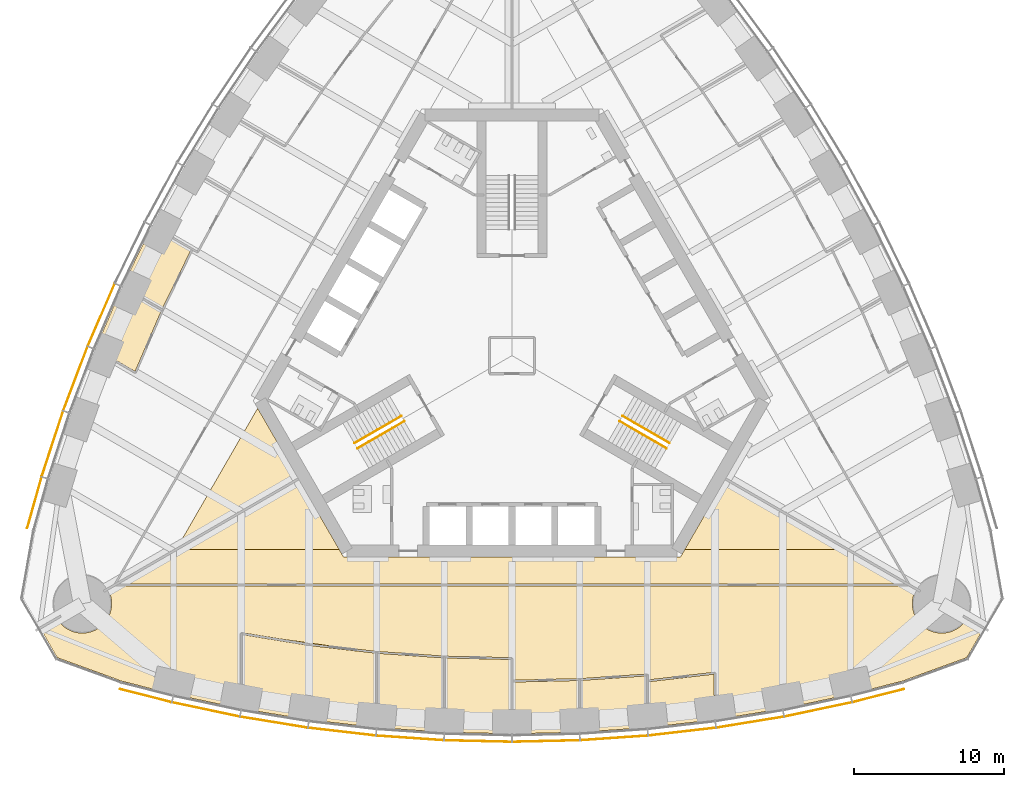
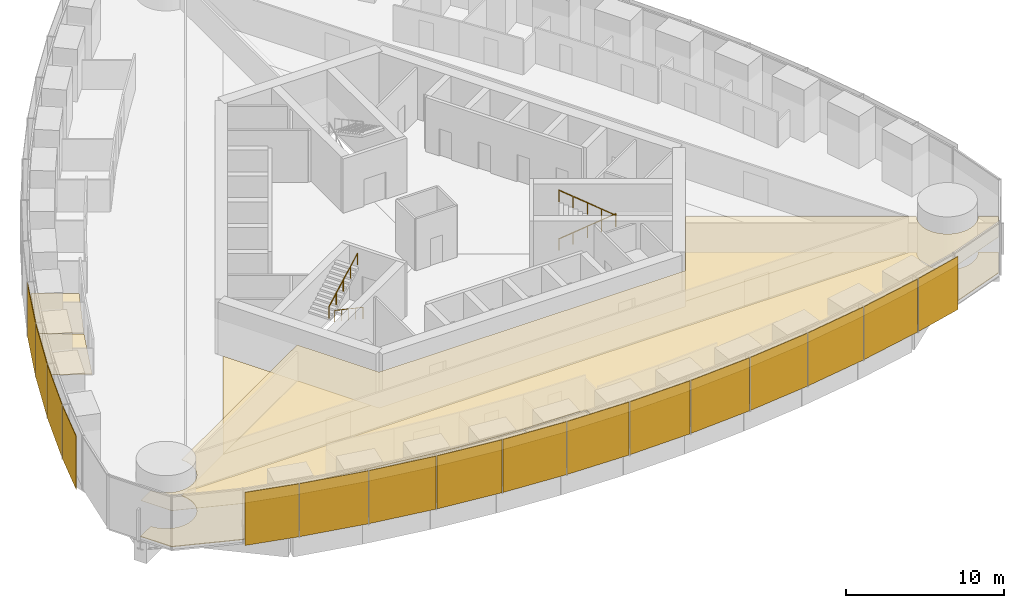
# One storey, part 15 of 19: 16 shading devices, 14 coverings, 4 railings.
"""IFC4 building model written with IfcOpenShell, lengths in metres."""

from ifc_helpers import new_model, si_unit, direction, frame, origin, origin_2d, place, context, subcontext, project, spatial, polyline, rectangle, circle, outline, extrude, material, layer, layer_set, type_object, element, save


model = new_model("IFC4")

# Units and contexts
model_context = context("Model", 3, precision=1e-05, world=origin(), true_north=direction((0.0, 1.0)))
body_context = subcontext(model_context, "Body", "Model", "MODEL_VIEW")
ifc_project = project(units=[si_unit("LENGTHUNIT", "METRE"), si_unit("AREAUNIT", "SQUARE_METRE"), si_unit("VOLUMEUNIT", "CUBIC_METRE"), si_unit("PLANEANGLEUNIT", "RADIAN"), si_unit("MASSUNIT", "GRAM", prefix="KILO")], contexts=[model_context])

# Site, building, storey
site_placement = place(None, origin())
site = spatial("IfcSite", under=ifc_project, at=site_placement, CompositionType="ELEMENT")
building_placement = place(site_placement, origin())
building = spatial("IfcBuilding", under=site, at=building_placement, Name="Trefoil Bronze Tower", CompositionType="ELEMENT")
storey_placement = place(building_placement, frame((0.0, 0.0, 189.699951171875)))
storey = spatial("IfcBuildingStorey", under=building, at=storey_placement, Name="L43", CompositionType="ELEMENT", Elevation=189.699951171875)

# Shading devices
ifc_material_1 = material(Name="Perforated bronze sheet", Category="bronze")
ifc_layer_1 = layer(ifc_material_1, 0.0400390625)
ifc_layer_set_1 = layer_set([ifc_layer_1], Name="Bronze solar screen panel")
shading_device_type = type_object("IfcShadingDeviceType", Name="Bronze solar screen panel", PredefinedType="SHUTTER", material=ifc_layer_set_1)
shading_device_1_placement = place(storey_placement, frame((-24.360107421875, -22.614501953125, 0.050048828125), z_axis=(0.0, 0.0, 1.0), x_axis=(0.968934035393, -0.247319297786, 0.0)))
element("IfcShadingDevice", 1, at=shading_device_1_placement, inside=storey, type_object=shading_device_type, Name="Solar screen CW-A L43 F1 bay 1", PredefinedType="SHUTTER", context=body_context, shape_type="SweptSolid", body=[
    extrude(rectangle(XDim=3.53369140625, YDim=0.0400390625, at=origin_2d()), origin(), (0.0, 0.0, 1.0), 4.10009765625),
])
shading_device_2_placement = place(storey_placement, frame((-20.361572265625, -23.535888671875, 0.050048828125), z_axis=(0.0, 0.0, 1.0), x_axis=(0.978394335897, -0.20674748725, 0.0)))
element("IfcShadingDevice", 2, at=shading_device_2_placement, inside=storey, type_object=shading_device_type, Name="Solar screen CW-A L43 F1 bay 2", PredefinedType="SHUTTER", context=body_context, shape_type="SweptSolid", body=[
    extrude(rectangle(XDim=4.5693359375, YDim=0.0400390625, at=origin_2d()), origin(), (0.0, 0.0, 1.0), 4.10009765625),
])
shading_device_3_placement = place(storey_placement, frame((-15.8369140625, -24.382568359375, 0.050048828125), z_axis=(0.0, 0.0, 1.0), x_axis=(0.986986549528, -0.160802832848, 0.0)))
element("IfcShadingDevice", 3, at=shading_device_3_placement, inside=storey, type_object=shading_device_type, Name="Solar screen CW-A L43 F1 bay 3", PredefinedType="SHUTTER", context=body_context, shape_type="SweptSolid", body=[
    extrude(rectangle(XDim=4.529296875, YDim=0.0400390625, at=origin_2d()), origin(), (0.0, 0.0, 1.0), 4.10009765625),
])
shading_device_4_placement = place(storey_placement, frame((-11.31201171875, -25.0126953125, 0.050048828125), z_axis=(0.0, 0.0, 1.0), x_axis=(0.993381831741, -0.114858767043, 0.0)))
element("IfcShadingDevice", 4, at=shading_device_4_placement, inside=storey, type_object=shading_device_type, Name="Solar screen CW-A L43 F1 bay 4", PredefinedType="SHUTTER", context=body_context, shape_type="SweptSolid", body=[
    extrude(rectangle(XDim=4.5, YDim=0.0400390625, at=origin_2d()), origin(), (0.0, 0.0, 1.0), 4.10009765625),
])
shading_device_5_placement = place(storey_placement, frame((-6.787109375, -25.430419921875, 0.050048828125), z_axis=(0.0, 0.0, 1.0), x_axis=(0.99762252804, -0.068915103905, 0.0)))
element("IfcShadingDevice", 5, at=shading_device_5_placement, inside=storey, type_object=shading_device_type, Name="Solar screen CW-A L43 F1 bay 5", PredefinedType="SHUTTER", context=body_context, shape_type="SweptSolid", body=[
    extrude(rectangle(XDim=4.480712890625, YDim=0.0400390625, at=origin_2d()), origin(), (0.0, 0.0, 1.0), 4.10009765625),
])
for number, where, z_axis, x_axis, name in (
    (6, (-2.262451171875, -25.638671875, 0.050048828125), (0.0, 0.0, 1.0), (0.999736116243, -0.022971675577, 0.0), "Solar screen CW-A L43 F1 bay 6"),
    (7, (2.262451171875, -25.638671875, 0.050048828125), (0.0, 0.0, 1.0), (0.999736116243, 0.022971675577, 0.0), "Solar screen CW-A L43 F1 bay 7"),
):
    element("IfcShadingDevice", number, at=place(storey_placement, frame(where, z_axis=z_axis, x_axis=x_axis)), inside=storey, type_object=shading_device_type, Name=name, PredefinedType="SHUTTER", context=body_context, shape_type="SweptSolid", body=[
        extrude(rectangle(XDim=4.47119140625, YDim=0.0400390625, at=origin_2d()), origin(), (0.0, 0.0, 1.0), 4.10009765625),
    ])
shading_device_6_placement = place(storey_placement, frame((6.787109375, -25.430419921875, 0.050048828125), z_axis=(0.0, 0.0, 1.0), x_axis=(0.99762252804, 0.068915103905, 0.0)))
element("IfcShadingDevice", 8, at=shading_device_6_placement, inside=storey, type_object=shading_device_type, Name="Solar screen CW-A L43 F1 bay 8", PredefinedType="SHUTTER", context=body_context, shape_type="SweptSolid", body=[
    extrude(rectangle(XDim=4.480712890625, YDim=0.0400390625, at=origin_2d()), origin(), (0.0, 0.0, 1.0), 4.10009765625),
])
shading_device_7_placement = place(storey_placement, frame((11.31201171875, -25.0126953125, 0.050048828125), z_axis=(0.0, 0.0, 1.0), x_axis=(0.993381831741, 0.114858767043, 0.0)))
element("IfcShadingDevice", 9, at=shading_device_7_placement, inside=storey, type_object=shading_device_type, Name="Solar screen CW-A L43 F1 bay 9", PredefinedType="SHUTTER", context=body_context, shape_type="SweptSolid", body=[
    extrude(rectangle(XDim=4.5, YDim=0.0400390625, at=origin_2d()), origin(), (0.0, 0.0, 1.0), 4.10009765625),
])
shading_device_8_placement = place(storey_placement, frame((15.8369140625, -24.382568359375, 0.050048828125), z_axis=(0.0, 0.0, 1.0), x_axis=(0.986986549528, 0.160802832848, 0.0)))
element("IfcShadingDevice", 10, at=shading_device_8_placement, inside=storey, type_object=shading_device_type, Name="Solar screen CW-A L43 F1 bay 10", PredefinedType="SHUTTER", context=body_context, shape_type="SweptSolid", body=[
    extrude(rectangle(XDim=4.529296875, YDim=0.0400390625, at=origin_2d()), origin(), (0.0, 0.0, 1.0), 4.10009765625),
])
shading_device_9_placement = place(storey_placement, frame((20.361572265625, -23.535888671875, 0.050048828125), z_axis=(0.0, 0.0, 1.0), x_axis=(0.978394335897, 0.20674748725, 0.0)))
element("IfcShadingDevice", 11, at=shading_device_9_placement, inside=storey, type_object=shading_device_type, Name="Solar screen CW-A L43 F1 bay 11", PredefinedType="SHUTTER", context=body_context, shape_type="SweptSolid", body=[
    extrude(rectangle(XDim=4.5693359375, YDim=0.0400390625, at=origin_2d()), origin(), (0.0, 0.0, 1.0), 4.10009765625),
])
shading_device_10_placement = place(storey_placement, frame((24.360107421875, -22.614501953125, 0.050048828125), z_axis=(0.0, 0.0, 1.0), x_axis=(0.968934035393, 0.247319297786, 0.0)))
element("IfcShadingDevice", 12, at=shading_device_10_placement, inside=storey, type_object=shading_device_type, Name="Solar screen CW-A L43 F1 bay 12", PredefinedType="SHUTTER", context=body_context, shape_type="SweptSolid", body=[
    extrude(rectangle(XDim=3.53369140625, YDim=0.0400390625, at=origin_2d()), origin(), (0.0, 0.0, 1.0), 4.10009765625),
])
shading_device_11_placement = place(storey_placement, frame((-27.317626953125, 2.709716796875, 0.050048828125), z_axis=(0.0, 0.0, 1.0), x_axis=(-0.397220305764, -0.917723285467, 0.0)))
element("IfcShadingDevice", 13, at=shading_device_11_placement, inside=storey, type_object=shading_device_type, Name="Solar screen CW-A L43 F3 bay 9", PredefinedType="SHUTTER", context=body_context, shape_type="SweptSolid", body=[
    extrude(rectangle(XDim=4.5, YDim=0.0400390625, at=origin_2d()), origin(), (0.0, 0.0, 1.0), 4.10009765625),
])
shading_device_12_placement = place(storey_placement, frame((-29.0341796875, -1.52392578125, 0.050048828125), z_axis=(0.0, 0.0, 1.0), x_axis=(-0.354233936517, -0.935156841508, 0.0)))
element("IfcShadingDevice", 14, at=shading_device_12_placement, inside=storey, type_object=shading_device_type, Name="Solar screen CW-A L43 F3 bay 10", PredefinedType="SHUTTER", context=body_context, shape_type="SweptSolid", body=[
    extrude(rectangle(XDim=4.529296875, YDim=0.0400390625, at=origin_2d()), origin(), (0.0, 0.0, 1.0), 4.10009765625),
])
shading_device_13_placement = place(storey_placement, frame((-30.5634765625, -5.86572265625, 0.050048828125), z_axis=(0.0, 0.0, 1.0), x_axis=(-0.310148591821, -0.950688093431, 0.0)))
element("IfcShadingDevice", 15, at=shading_device_13_placement, inside=storey, type_object=shading_device_type, Name="Solar screen CW-A L43 F3 bay 11", PredefinedType="SHUTTER", context=body_context, shape_type="SweptSolid", body=[
    extrude(rectangle(XDim=4.5693359375, YDim=0.0400390625, at=origin_2d()), origin(), (0.0, 0.0, 1.0), 4.10009765625),
])
shading_device_14_placement = place(storey_placement, frame((-31.764892578125, -9.7890625, 0.050048828125), z_axis=(0.0, 0.0, 1.0), x_axis=(-0.270282222968, -0.962781138134, 0.0)))
element("IfcShadingDevice", 16, at=shading_device_14_placement, inside=storey, type_object=shading_device_type, Name="Solar screen CW-A L43 F3 bay 12", PredefinedType="SHUTTER", context=body_context, shape_type="SweptSolid", body=[
    extrude(rectangle(XDim=3.53369140625, YDim=0.0400390625, at=origin_2d()), origin(), (0.0, 0.0, 1.0), 4.10009765625),
])

# Railings
ifc_material_2 = material(Name="Steel handrail", Category="steel")
railing_type = type_object("IfcRailingType", Name="Handrail 900", PredefinedType="HANDRAIL", material=ifc_material_2)
railing_1_placement = place(storey_placement, frame((7.365966796875, -4.021728515625, 0.16162109375)))
element("IfcRailing", 17, at=railing_1_placement, inside=storey, type_object=railing_type, Name="Handrail ST1 flight 1 L43", PredefinedType="HANDRAIL", context=body_context, shape_type="SweptSolid", body=[
    extrude(circle(Radius=0.02392578125, at=origin_2d()), frame((0.0, 0.0, 0.8759765625), z_axis=(0.76250339821, -0.440245697338, 0.474101564745), x_axis=(0.500012057535, 0.866018442252, 0.0)), (0.0, 0.0, 1.0), 4.088623046875),
    extrude(circle(Radius=0.02099609375, at=origin_2d()), origin(), (0.0, 0.0, 1.0), 0.851806640625),
    extrude(circle(Radius=0.02099609375, at=origin_2d()), frame((0.779296875, -0.449951171875, 0.484619140625)), (0.0, 0.0, 1.0), 0.851806640625),
    extrude(circle(Radius=0.02099609375, at=origin_2d()), frame((1.558837890625, -0.89990234375, 0.96923828125)), (0.0, 0.0, 1.0), 0.851806640625),
    extrude(circle(Radius=0.02099609375, at=origin_2d()), frame((2.33837890625, -1.35009765625, 1.453857421875)), (0.0, 0.0, 1.0), 0.851806640625),
    extrude(circle(Radius=0.02099609375, at=origin_2d()), frame((3.11767578125, -1.800048828125, 1.9384765625)), (0.0, 0.0, 1.0), 0.851806640625),
])
railing_2_placement = place(storey_placement, frame((10.28369140625, -6.168212890625, 2.261474609375)))
element("IfcRailing", 18, at=railing_2_placement, inside=storey, type_object=railing_type, Name="Handrail ST1 flight 2 L43", PredefinedType="HANDRAIL", context=body_context, shape_type="SweptSolid", body=[
    extrude(circle(Radius=0.02392578125, at=origin_2d()), frame((0.0, 0.0, 0.8759765625), z_axis=(-0.76250339821, 0.440245697338, 0.474101564745), x_axis=(-0.500012057535, -0.866018442252, 0.0)), (0.0, 0.0, 1.0), 4.088623046875),
    extrude(circle(Radius=0.02099609375, at=origin_2d()), origin(), (0.0, 0.0, 1.0), 0.851806640625),
    extrude(circle(Radius=0.02099609375, at=origin_2d()), frame((-0.779296875, 0.449951171875, 0.484619140625)), (0.0, 0.0, 1.0), 0.851806640625),
    extrude(circle(Radius=0.02099609375, at=origin_2d()), frame((-1.558837890625, 0.89990234375, 0.96923828125)), (0.0, 0.0, 1.0), 0.851806640625),
    extrude(circle(Radius=0.02099609375, at=origin_2d()), frame((-2.33837890625, 1.35009765625, 1.453857421875)), (0.0, 0.0, 1.0), 0.851806640625),
    extrude(circle(Radius=0.02099609375, at=origin_2d()), frame((-3.11767578125, 1.800048828125, 1.9384765625)), (0.0, 0.0, 1.0), 0.851806640625),
])
railing_3_placement = place(storey_placement, frame((-7.166015625, -4.3681640625, 0.16162109375)))
element("IfcRailing", 19, at=railing_3_placement, inside=storey, type_object=railing_type, Name="Handrail ST3 flight 1 L43", PredefinedType="HANDRAIL", context=body_context, shape_type="SweptSolid", body=[
    extrude(circle(Radius=0.02392578125, at=origin_2d()), frame((0.0, 0.0, 0.8759765625), z_axis=(-0.76250339821, -0.440245697338, 0.474101564745), x_axis=(0.500012057535, -0.866018442252, 0.0)), (0.0, 0.0, 1.0), 4.088623046875),
    extrude(circle(Radius=0.02099609375, at=origin_2d()), origin(), (0.0, 0.0, 1.0), 0.851806640625),
    extrude(circle(Radius=0.02099609375, at=origin_2d()), frame((-0.779296875, -0.449951171875, 0.484619140625)), (0.0, 0.0, 1.0), 0.851806640625),
    extrude(circle(Radius=0.02099609375, at=origin_2d()), frame((-1.558837890625, -0.89990234375, 0.96923828125)), (0.0, 0.0, 1.0), 0.851806640625),
    extrude(circle(Radius=0.02099609375, at=origin_2d()), frame((-2.33837890625, -1.35009765625, 1.453857421875)), (0.0, 0.0, 1.0), 0.851806640625),
    extrude(circle(Radius=0.02099609375, at=origin_2d()), frame((-3.11767578125, -1.800048828125, 1.9384765625)), (0.0, 0.0, 1.0), 0.851806640625),
])
railing_4_placement = place(storey_placement, frame((-10.483642578125, -5.82177734375, 2.261474609375)))
element("IfcRailing", 20, at=railing_4_placement, inside=storey, type_object=railing_type, Name="Handrail ST3 flight 2 L43", PredefinedType="HANDRAIL", context=body_context, shape_type="SweptSolid", body=[
    extrude(circle(Radius=0.02392578125, at=origin_2d()), frame((0.0, 0.0, 0.8759765625), z_axis=(0.76250339821, 0.440245697338, 0.474101564745), x_axis=(-0.500012057535, 0.866018442252, 0.0)), (0.0, 0.0, 1.0), 4.088623046875),
    extrude(circle(Radius=0.02099609375, at=origin_2d()), origin(), (0.0, 0.0, 1.0), 0.851806640625),
    extrude(circle(Radius=0.02099609375, at=origin_2d()), frame((0.779296875, 0.449951171875, 0.484619140625)), (0.0, 0.0, 1.0), 0.851806640625),
    extrude(circle(Radius=0.02099609375, at=origin_2d()), frame((1.558837890625, 0.89990234375, 0.96923828125)), (0.0, 0.0, 1.0), 0.851806640625),
    extrude(circle(Radius=0.02099609375, at=origin_2d()), frame((2.33837890625, 1.35009765625, 1.453857421875)), (0.0, 0.0, 1.0), 0.851806640625),
    extrude(circle(Radius=0.02099609375, at=origin_2d()), frame((3.11767578125, 1.800048828125, 1.9384765625)), (0.0, 0.0, 1.0), 0.851806640625),
])

# Coverings
ifc_material_3 = material(Name="Acoustic ceiling panels", Category="mineral fibre")
ifc_layer_2 = layer(ifc_material_3, 0.02001953125)
ifc_layer_set_2 = layer_set([ifc_layer_2], Name="Office ceiling 20")
covering_type_1 = type_object("IfcCoveringType", Name="Office ceiling 20", PredefinedType="CEILING", material=ifc_layer_set_2)
covering_1_placement = place(storey_placement, frame((0.0, 0.0, 2.900146484375)))
element("IfcCovering", 21, at=covering_1_placement, inside=storey, type_object=covering_type_1, Name="Ceiling L43 Open-plan office F1", PredefinedType="CEILING", context=body_context, shape_type="SweptSolid", body=[
    extrude(outline(polyline([(-30.2001953125, -17.58349609375), (-30.14501953125, -17.66162109375), (-30.086181640625, -17.737060546875), (-30.023681640625, -17.8095703125), (-29.957763671875, -17.87890625), (-29.888427734375, -17.94482421875), (-29.81591796875, -18.00732421875), (-29.740478515625, -18.06640625), (-29.662109375, -18.121337890625), (-29.581298828125, -18.172607421875), (-29.498046875, -18.2197265625), (-29.41259765625, -18.2626953125), (-29.3251953125, -18.301513671875), (-29.23583984375, -18.3359375), (-29.14501953125, -18.365966796875), (-29.052490234375, -18.3916015625), (-28.959228515625, -18.41259765625), (-28.864990234375, -18.428955078125), (-28.77001953125, -18.440673828125), (-28.674560546875, -18.44775390625), (-28.578857421875, -18.449951171875), (-28.483154296875, -18.44775390625), (-28.3876953125, -18.440673828125), (-28.292724609375, -18.428955078125), (-28.198486328125, -18.41259765625), (-28.10498046875, -18.3916015625), (-28.0126953125, -18.365966796875), (-27.921875, -18.3359375), (-27.83251953125, -18.301513671875), (-27.7451171875, -18.2626953125), (-27.65966796875, -18.2197265625), (-27.576416015625, -18.172607421875), (-27.49560546875, -18.121337890625), (-27.417236328125, -18.06640625), (-27.341796875, -18.00732421875), (-27.269287109375, -17.94482421875), (-27.199951171875, -17.87890625), (-27.134033203125, -17.8095703125), (-27.071533203125, -17.737060546875), (-27.0126953125, -17.66162109375), (-26.95751953125, -17.58349609375), (-26.90625, -17.50244140625), (-26.859130859375, -17.419189453125), (-26.816162109375, -17.333740234375), (-26.77734375, -17.24609375), (-26.742919921875, -17.156982421875), (-26.712890625, -17.066162109375), (-26.687255859375, -16.973876953125), (-26.666259765625, -16.88037109375), (-26.64990234375, -16.7861328125), (-26.63818359375, -16.691162109375), (-26.631103515625, -16.595703125), (-26.62890625, -16.5), (-26.631103515625, -16.404296875), (-26.63818359375, -16.308837890625), (-26.64990234375, -16.2138671875), (-26.666259765625, -16.11962890625), (-26.687255859375, -16.026123046875), (-26.712890625, -15.933837890625), (-26.742919921875, -15.843017578125), (-26.77734375, -15.75390625), (-26.816162109375, -15.666259765625), (-26.859130859375, -15.580810546875), (-26.884765625, -15.535400390625), (-14.19970703125, -8.205322265625), (-11.20068359375, -13.39990234375), (11.20068359375, -13.39990234375), (14.19970703125, -8.205322265625), (26.884765625, -15.535400390625), (26.859130859375, -15.580810546875), (26.816162109375, -15.666259765625), (26.77734375, -15.75390625), (26.742919921875, -15.843017578125), (26.712890625, -15.933837890625), (26.687255859375, -16.026123046875), (26.666259765625, -16.11962890625), (26.64990234375, -16.2138671875), (26.63818359375, -16.308837890625), (26.631103515625, -16.404296875), (26.62890625, -16.5), (26.631103515625, -16.595703125), (26.63818359375, -16.691162109375), (26.64990234375, -16.7861328125), (26.666259765625, -16.88037109375), (26.687255859375, -16.973876953125), (26.712890625, -17.066162109375), (26.742919921875, -17.156982421875), (26.77734375, -17.24609375), (26.816162109375, -17.333740234375), (26.859130859375, -17.419189453125), (26.90625, -17.50244140625), (26.95751953125, -17.58349609375), (27.0126953125, -17.66162109375), (27.071533203125, -17.737060546875), (27.134033203125, -17.8095703125), (27.199951171875, -17.87890625), (27.269287109375, -17.94482421875), (27.341796875, -18.00732421875), (27.417236328125, -18.06640625), (27.49560546875, -18.121337890625), (27.576416015625, -18.172607421875), (27.65966796875, -18.2197265625), (27.7451171875, -18.2626953125), (27.83251953125, -18.301513671875), (27.921875, -18.3359375), (28.0126953125, -18.365966796875), (28.10498046875, -18.3916015625), (28.198486328125, -18.41259765625), (28.292724609375, -18.428955078125), (28.3876953125, -18.440673828125), (28.483154296875, -18.44775390625), (28.578857421875, -18.449951171875), (28.674560546875, -18.44775390625), (28.77001953125, -18.440673828125), (28.864990234375, -18.428955078125), (28.959228515625, -18.41259765625), (29.052490234375, -18.3916015625), (29.14501953125, -18.365966796875), (29.23583984375, -18.3359375), (29.3251953125, -18.301513671875), (29.41259765625, -18.2626953125), (29.498046875, -18.2197265625), (29.581298828125, -18.172607421875), (29.662109375, -18.121337890625), (29.740478515625, -18.06640625), (29.81591796875, -18.00732421875), (29.888427734375, -17.94482421875), (29.957763671875, -17.87890625), (30.023681640625, -17.8095703125), (30.086181640625, -17.737060546875), (30.14501953125, -17.66162109375), (30.2001953125, -17.58349609375), (30.2607421875, -17.486083984375), (31.37158203125, -18.1279296875), (30.23828125, -20.0908203125), (25.952880859375, -21.650634765625), (22.5, -22.531982421875), (18.0, -23.48291015625), (13.5, -24.216064453125), (9.0, -24.736328125), (4.5, -25.047119140625), (0.0, -25.150634765625), (-4.5, -25.047119140625), (-9.0, -24.736328125), (-13.5, -24.216064453125), (-18.0, -23.48291015625), (-22.5, -22.531982421875), (-25.952880859375, -21.650634765625), (-30.23828125, -20.0908203125), (-31.37158203125, -18.1279296875), (-30.2607421875, -17.486083984375), (-30.2001953125, -17.58349609375)])), origin(), (0.0, 0.0, 1.0), 0.02001953125),
])
ifc_material_4 = material(Name="Raised access floor panels", Category="steel")
ifc_layer_3 = layer(ifc_material_4, 0.050048828125)
ifc_layer_set_3 = layer_set([ifc_layer_3], Name="Raised access floor 150")
covering_type_2 = type_object("IfcCoveringType", Name="Raised access floor 150", PredefinedType="FLOORING", material=ifc_layer_set_3)
covering_2_placement = place(storey_placement, frame((0.0, 0.0, 0.10009765625)))
element("IfcCovering", 22, at=covering_2_placement, inside=storey, type_object=covering_type_2, Name="Raised floor L43 Kitchen and breakout F1", PredefinedType="FLOORING", context=body_context, shape_type="SweptSolid", body=[
    extrude(outline(polyline([(-13.5, -24.216064453125), (-18.0, -23.48291015625), (-18.0, -21.82470703125), (-17.93994140625, -21.82470703125), (-17.93994140625, -18.553466796875), (-13.509521484375, -19.275390625), (-13.5, -19.216064453125), (-13.5068359375, -19.275634765625), (-9.06005859375, -19.789794921875), (-9.06005859375, -23.099609375), (-9.0, -23.099609375), (-9.0, -24.736328125), (-13.5, -24.216064453125)])), origin(), (0.0, 0.0, 1.0), 0.050048828125),
])
covering_3_placement = place(storey_placement, frame((0.0, 0.0, 0.10009765625)))
element("IfcCovering", 23, at=covering_3_placement, inside=storey, type_object=covering_type_2, Name="Raised floor L43 Meeting room F1", PredefinedType="FLOORING", context=body_context, shape_type="SweptSolid", body=[
    extrude(outline(polyline([(-4.5, -25.047119140625), (-9.0, -24.736328125), (-9.0, -23.099609375), (-8.93994140625, -23.099609375), (-8.93994140625, -19.80078125), (-4.56005859375, -20.103271484375), (-4.56005859375, -23.41552734375), (-4.5, -23.41552734375), (-4.5, -25.047119140625)])), origin(), (0.0, 0.0, 1.0), 0.050048828125),
])
covering_4_placement = place(storey_placement, frame((0.0, 0.0, 0.10009765625)))
element("IfcCovering", 24, at=covering_4_placement, inside=storey, type_object=covering_type_2, Name="Raised floor L43 Meeting room F1", PredefinedType="FLOORING", context=body_context, shape_type="SweptSolid", body=[
    extrude(outline(polyline([(0.0, -25.150634765625), (-4.5, -25.047119140625), (-4.5, -23.41552734375), (-4.43994140625, -23.41552734375), (-4.43994140625, -20.108642578125), (-0.06005859375, -20.209228515625), (-0.06005859375, -23.5205078125), (0.0, -23.5205078125), (0.0, -25.150634765625)])), origin(), (0.0, 0.0, 1.0), 0.050048828125),
])
covering_5_placement = place(storey_placement, frame((0.0, 0.0, 0.10009765625)))
element("IfcCovering", 25, at=covering_5_placement, inside=storey, type_object=covering_type_2, Name="Raised floor L43 Focus room F1", PredefinedType="FLOORING", context=body_context, shape_type="SweptSolid", body=[
    extrude(outline(polyline([(4.5, -25.047119140625), (0.0, -25.150634765625), (0.0, -23.5205078125), (0.06005859375, -23.5205078125), (0.06005859375, -21.709228515625), (4.43994140625, -21.608642578125), (4.43994140625, -23.41552734375), (4.5, -23.41552734375), (4.5, -25.047119140625)])), origin(), (0.0, 0.0, 1.0), 0.050048828125),
])
covering_6_placement = place(storey_placement, frame((0.0, 0.0, 0.10009765625)))
element("IfcCovering", 26, at=covering_6_placement, inside=storey, type_object=covering_type_2, Name="Raised floor L43 Focus room F1", PredefinedType="FLOORING", context=body_context, shape_type="SweptSolid", body=[
    extrude(outline(polyline([(9.0, -24.736328125), (4.5, -25.047119140625), (4.5, -23.41552734375), (4.56005859375, -23.41552734375), (4.56005859375, -21.603271484375), (8.93994140625, -21.30078125), (8.93994140625, -23.099609375), (9.0, -23.099609375), (9.0, -24.736328125)])), origin(), (0.0, 0.0, 1.0), 0.050048828125),
])
covering_7_placement = place(storey_placement, frame((0.0, 0.0, 0.10009765625)))
element("IfcCovering", 27, at=covering_7_placement, inside=storey, type_object=covering_type_2, Name="Raised floor L43 Print and store room F1", PredefinedType="FLOORING", context=body_context, shape_type="SweptSolid", body=[
    extrude(outline(polyline([(13.5, -24.216064453125), (9.0, -24.736328125), (9.0, -23.099609375), (9.06005859375, -23.099609375), (9.06005859375, -21.689697265625), (13.43994140625, -21.183349609375), (13.43994140625, -22.570556640625), (13.5, -22.570556640625), (13.5, -24.216064453125)])), origin(), (0.0, 0.0, 1.0), 0.050048828125),
])
covering_8_placement = place(storey_placement, frame((0.0, 0.0, 0.10009765625)))
element("IfcCovering", 28, at=covering_8_placement, inside=storey, type_object=covering_type_2, Name="Raised floor L43 Corridor F1", PredefinedType="FLOORING", context=body_context, shape_type="SweptSolid", body=[
    extrude(outline(polyline([(-26.304443359375, -15.199951171875), (-22.32421875, -12.89990234375), (-11.4892578125, -12.89990234375), (-11.20068359375, -13.39990234375), (11.20068359375, -13.39990234375), (11.4892578125, -12.89990234375), (22.32421875, -12.89990234375), (26.304443359375, -15.199951171875), (-26.304443359375, -15.199951171875)])), origin(), (0.0, 0.0, 1.0), 0.050048828125),
])
covering_9_placement = place(storey_placement, frame((0.0, 0.0, 0.10009765625)))
element("IfcCovering", 29, at=covering_9_placement, inside=storey, type_object=covering_type_2, Name="Raised floor L43 Open-plan office F1", PredefinedType="FLOORING", context=body_context, shape_type="SweptSolid", body=[
    extrude(outline(polyline([(-26.884765625, -15.535400390625), (-26.398193359375, -15.254150390625), (-26.398193359375, -15.320068359375), (26.398193359375, -15.320068359375), (26.398193359375, -15.254150390625), (26.884765625, -15.535400390625), (26.859130859375, -15.580810546875), (26.816162109375, -15.666259765625), (26.77734375, -15.75390625), (26.742919921875, -15.843017578125), (26.712890625, -15.933837890625), (26.687255859375, -16.026123046875), (26.666259765625, -16.11962890625), (26.64990234375, -16.2138671875), (26.63818359375, -16.308837890625), (26.631103515625, -16.404296875), (26.62890625, -16.5), (26.631103515625, -16.595703125), (26.63818359375, -16.691162109375), (26.64990234375, -16.7861328125), (26.666259765625, -16.88037109375), (26.687255859375, -16.973876953125), (26.712890625, -17.066162109375), (26.742919921875, -17.156982421875), (26.77734375, -17.24609375), (26.816162109375, -17.333740234375), (26.859130859375, -17.419189453125), (26.90625, -17.50244140625), (26.95751953125, -17.58349609375), (27.0126953125, -17.66162109375), (27.071533203125, -17.737060546875), (27.134033203125, -17.8095703125), (27.199951171875, -17.87890625), (27.269287109375, -17.94482421875), (27.341796875, -18.00732421875), (27.417236328125, -18.06640625), (27.49560546875, -18.121337890625), (27.576416015625, -18.172607421875), (27.65966796875, -18.2197265625), (27.7451171875, -18.2626953125), (27.83251953125, -18.301513671875), (27.921875, -18.3359375), (28.0126953125, -18.365966796875), (28.10498046875, -18.3916015625), (28.198486328125, -18.41259765625), (28.292724609375, -18.428955078125), (28.3876953125, -18.440673828125), (28.483154296875, -18.44775390625), (28.578857421875, -18.449951171875), (28.674560546875, -18.44775390625), (28.77001953125, -18.440673828125), (28.864990234375, -18.428955078125), (28.959228515625, -18.41259765625), (29.052490234375, -18.3916015625), (29.14501953125, -18.365966796875), (29.23583984375, -18.3359375), (29.3251953125, -18.301513671875), (29.41259765625, -18.2626953125), (29.498046875, -18.2197265625), (29.581298828125, -18.172607421875), (29.662109375, -18.121337890625), (29.740478515625, -18.06640625), (29.81591796875, -18.00732421875), (29.888427734375, -17.94482421875), (29.957763671875, -17.87890625), (30.023681640625, -17.8095703125), (30.086181640625, -17.737060546875), (30.14501953125, -17.66162109375), (30.2001953125, -17.58349609375), (30.2607421875, -17.486083984375), (31.37158203125, -18.1279296875), (30.23828125, -20.0908203125), (25.952880859375, -21.650634765625), (22.5, -22.531982421875), (18.0, -23.48291015625), (13.5, -24.216064453125), (13.5, -22.570556640625), (13.56005859375, -22.570556640625), (13.56005859375, -21.1162109375), (13.5, -21.1162109375), (13.4931640625, -21.056396484375), (9.06005859375, -21.569091796875), (9.06005859375, -21.236328125), (9.0, -21.236328125), (8.995849609375, -21.176513671875), (4.497314453125, -21.4873046875), (0.06005859375, -21.589111328125), (0.06005859375, -20.150634765625), (0.0, -20.150634765625), (0.00146484375, -20.0908203125), (-4.497314453125, -19.9873046875), (-8.994384765625, -19.676513671875), (-11.553955078125, -19.380615234375), (-15.429443359375, -18.8408203125), (-17.990478515625, -18.423583984375), (-18.0, -18.48291015625), (-18.06005859375, -18.48291015625), (-18.06005859375, -21.82470703125), (-18.0, -21.82470703125), (-18.0, -23.48291015625), (-22.5, -22.531982421875), (-25.952880859375, -21.650634765625), (-30.23828125, -20.0908203125), (-31.37158203125, -18.1279296875), (-30.2607421875, -17.486083984375), (-30.2001953125, -17.58349609375), (-30.14501953125, -17.66162109375), (-30.086181640625, -17.737060546875), (-30.023681640625, -17.8095703125), (-29.957763671875, -17.87890625), (-29.888427734375, -17.94482421875), (-29.81591796875, -18.00732421875), (-29.740478515625, -18.06640625), (-29.662109375, -18.121337890625), (-29.581298828125, -18.172607421875), (-29.498046875, -18.2197265625), (-29.41259765625, -18.2626953125), (-29.3251953125, -18.301513671875), (-29.23583984375, -18.3359375), (-29.14501953125, -18.365966796875), (-29.052490234375, -18.3916015625), (-28.959228515625, -18.41259765625), (-28.864990234375, -18.428955078125), (-28.77001953125, -18.440673828125), (-28.674560546875, -18.44775390625), (-28.578857421875, -18.449951171875), (-28.483154296875, -18.44775390625), (-28.3876953125, -18.440673828125), (-28.292724609375, -18.428955078125), (-28.198486328125, -18.41259765625), (-28.10498046875, -18.3916015625), (-28.0126953125, -18.365966796875), (-27.921875, -18.3359375), (-27.83251953125, -18.301513671875), (-27.7451171875, -18.2626953125), (-27.65966796875, -18.2197265625), (-27.576416015625, -18.172607421875), (-27.49560546875, -18.121337890625), (-27.417236328125, -18.06640625), (-27.341796875, -18.00732421875), (-27.269287109375, -17.94482421875), (-27.199951171875, -17.87890625), (-27.134033203125, -17.8095703125), (-27.071533203125, -17.737060546875), (-27.0126953125, -17.66162109375), (-26.95751953125, -17.58349609375), (-26.90625, -17.50244140625), (-26.859130859375, -17.419189453125), (-26.816162109375, -17.333740234375), (-26.77734375, -17.24609375), (-26.742919921875, -17.156982421875), (-26.712890625, -17.066162109375), (-26.687255859375, -16.973876953125), (-26.666259765625, -16.88037109375), (-26.64990234375, -16.7861328125), (-26.63818359375, -16.691162109375), (-26.631103515625, -16.595703125), (-26.62890625, -16.5), (-26.631103515625, -16.404296875), (-26.63818359375, -16.308837890625), (-26.64990234375, -16.2138671875), (-26.666259765625, -16.11962890625), (-26.687255859375, -16.026123046875), (-26.712890625, -15.933837890625), (-26.742919921875, -15.843017578125), (-26.77734375, -15.75390625), (-26.816162109375, -15.666259765625), (-26.859130859375, -15.580810546875), (-26.884765625, -15.535400390625)])), origin(), (0.0, 0.0, 1.0), 0.050048828125),
])
covering_10_placement = place(storey_placement, frame((0.0, 0.0, 0.10009765625)))
element("IfcCovering", 30, at=covering_10_placement, inside=storey, type_object=covering_type_2, Name="Raised floor L43 Open-plan office F1", PredefinedType="FLOORING", context=body_context, shape_type="SweptSolid", body=[
    extrude(outline(polyline([(14.19970703125, -8.205322265625), (22.32421875, -12.89990234375), (11.4892578125, -12.89990234375), (14.19970703125, -8.205322265625)])), origin(), (0.0, 0.0, 1.0), 0.050048828125),
])
covering_11_placement = place(storey_placement, frame((0.0, 0.0, 0.10009765625)))
element("IfcCovering", 31, at=covering_11_placement, inside=storey, type_object=covering_type_2, Name="Raised floor L43 Open-plan office F1", PredefinedType="FLOORING", context=body_context, shape_type="SweptSolid", body=[
    extrude(outline(polyline([(-14.19970703125, -8.205322265625), (-11.4892578125, -12.89990234375), (-22.32421875, -12.89990234375), (-14.19970703125, -8.205322265625)])), origin(), (0.0, 0.0, 1.0), 0.050048828125),
])
covering_12_placement = place(storey_placement, frame((0.0, 0.0, 0.10009765625)))
element("IfcCovering", 32, at=covering_12_placement, inside=storey, type_object=covering_type_2, Name="Raised floor L43 Print and store room F3", PredefinedType="FLOORING", context=body_context, shape_type="SweptSolid", body=[
    extrude(outline(polyline([(-25.92236328125, 4.573974609375), (-23.94140625, 8.62646484375), (-22.5283203125, 7.810546875), (-22.558349609375, 7.7587890625), (-21.33544921875, 7.052490234375), (-23.26318359375, 3.108154296875), (-24.474609375, 3.8076171875), (-24.504638671875, 3.755615234375), (-25.92236328125, 4.573974609375)])), origin(), (0.0, 0.0, 1.0), 0.050048828125),
])
covering_13_placement = place(storey_placement, frame((0.0, 0.0, 0.10009765625)))
element("IfcCovering", 33, at=covering_13_placement, inside=storey, type_object=covering_type_2, Name="Raised floor L43 Comms room F3", PredefinedType="FLOORING", context=body_context, shape_type="SweptSolid", body=[
    extrude(outline(polyline([(-27.7216796875, 0.416748046875), (-25.92236328125, 4.573974609375), (-24.504638671875, 3.755615234375), (-24.53466796875, 3.70361328125), (-23.31396484375, 2.998779296875), (-25.0654296875, -1.047607421875), (-26.2666015625, -0.354248046875), (-26.296630859375, -0.406005859375), (-27.7216796875, 0.416748046875)])), origin(), (0.0, 0.0, 1.0), 0.050048828125),
])
covering_14_placement = place(storey_placement, frame((0.0, 0.0, 0.10009765625)))
element("IfcCovering", 34, at=covering_14_placement, inside=storey, type_object=covering_type_2, Name="Raised floor L43 Open-plan office F3", PredefinedType="FLOORING", context=body_context, shape_type="SweptSolid", body=[
    extrude(outline(polyline([(-14.205810546875, -8.194580078125), (-22.333740234375, -12.88330078125), (-16.91650390625, -3.5), (-14.205810546875, -8.194580078125)])), origin(), (0.0, 0.0, 1.0), 0.050048828125),
])

save(model, "model.ifc")
